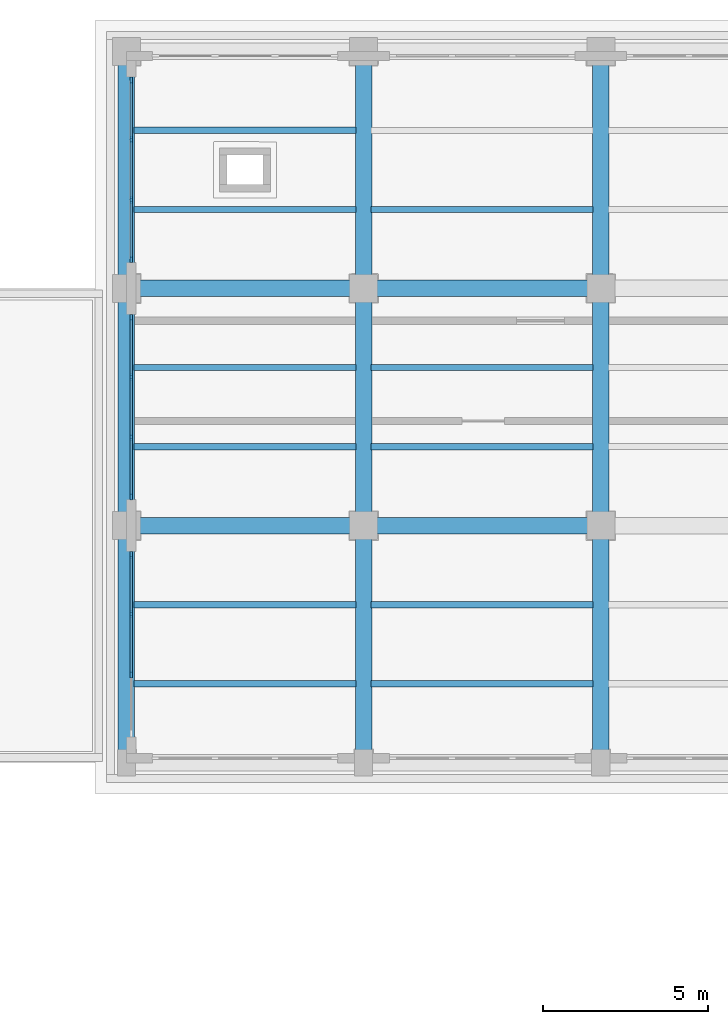
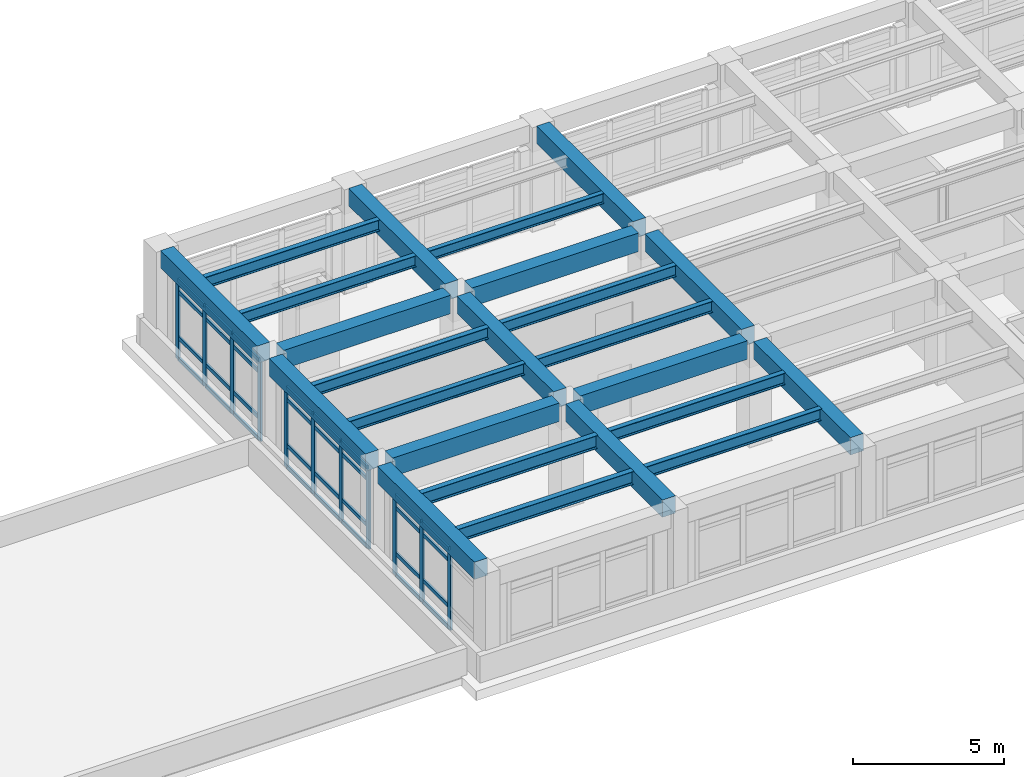
# One storey, part 24 of 69: 43 members, 24 beams, 3 elements without a shape of their own.
"""IFC4 building model written with IfcOpenShell, lengths in metres."""

import ifcopenshell
import ifcopenshell.guid

model = None  # the IFC model being written
_history = None  # IfcOwnerHistory: only IFC2X3 demands one
_inside = {}  # id of a spatial element -> (the spatial element, [elements in it])
_under = {}  # id of a project, library or spatial element -> (it, [spatial elements below it])
_declared = {}  # id of a project -> (the project, [libraries it declares])
_typed = {}  # id of a type object -> (the type object, [elements of that type])
_made_of = {}  # id of a material, layer set ... -> (it, [elements and type objects made of it])


def new_model(schema):
    """Start an empty IFC model of exactly this schema.

    Asked for "IFC4X3", IfcOpenShell would pick the latest addendum, in which some entities
    have other attributes; the version numbers below select the first issue.
    IFC2X3 requires an IfcOwnerHistory on every rooted entity: one is made here for all.
    """
    global model, _history
    if schema == "IFC4X3":
        model = ifcopenshell.file(schema_version=(4, 3, 0, 0))
    else:
        model = ifcopenshell.file(schema=schema)
    _inside.clear()
    _under.clear()
    _declared.clear()
    _typed.clear()
    _made_of.clear()
    _history = None
    if model.schema == "IFC2X3":
        org = make("IfcOrganization", Name="unknown")
        user = make(
            "IfcPersonAndOrganization",
            ThePerson=make("IfcPerson", FamilyName="unknown"),
            TheOrganization=org,
        )
        app = make(
            "IfcApplication",
            ApplicationDeveloper=org,
            Version="unknown",
            ApplicationFullName="unknown",
            ApplicationIdentifier="unknown",
        )
        _history = make(
            "IfcOwnerHistory",
            OwningUser=user,
            OwningApplication=app,
            ChangeAction="ADDED",
            CreationDate=0,
        )
    return model


def make(cls, **values):
    """One entity of the class cls with the attributes given. An attribute that is None is left unset."""
    return model.create_entity(
        cls, **{name: value for name, value in values.items() if value is not None}
    )


def rooted(cls, **values):
    """An entity with a GlobalId (a new one), such as an element, a storey or a relation."""
    return make(cls, GlobalId=ifcopenshell.guid.new(), OwnerHistory=_history, **values)


def si_unit(unit_type, name, prefix=None):
    """IfcSIUnit, for example si_unit("LENGTHUNIT", "METRE", prefix="MILLI")."""
    return make("IfcSIUnit", UnitType=unit_type, Prefix=prefix, Name=name)


def assignment(units):
    """IfcUnitAssignment: the units of a project."""
    return None if units is None else make("IfcUnitAssignment", Units=units)


def point(xyz):
    """IfcCartesianPoint."""
    return None if xyz is None else make("IfcCartesianPoint", Coordinates=xyz)


def direction(xyz):
    """IfcDirection."""
    return None if xyz is None else make("IfcDirection", DirectionRatios=xyz)


def frame(location, z_axis=None, x_axis=None):
    """IfcAxis2Placement3D, a coordinate frame: its origin and axes. An axis left out is left unset."""
    return make(
        "IfcAxis2Placement3D",
        Location=point(location),
        Axis=direction(z_axis),
        RefDirection=direction(x_axis),
    )


def frame_2d(location, x_axis=None):
    """IfcAxis2Placement2D, a coordinate frame in the plane: its origin and x axis."""
    return make(
        "IfcAxis2Placement2D", Location=point(location), RefDirection=direction(x_axis)
    )


def origin():
    """The frame at (0, 0, 0) with its axes left unset."""
    return frame((0.0, 0.0, 0.0))


def origin_2d():
    """The frame at (0, 0) in the plane with its x axis left unset."""
    return frame_2d((0.0, 0.0))


def place(relative_to, where):
    """IfcLocalPlacement: puts the frame where relative to a parent placement (None: the world)."""
    return make(
        "IfcLocalPlacement", PlacementRelTo=relative_to, RelativePlacement=where
    )


def context(
    kind, dimensions, precision=None, world=None, true_north=None, identifier=None
):
    """IfcGeometricRepresentationContext, for example the 3D "Model" context."""
    return make(
        "IfcGeometricRepresentationContext",
        ContextIdentifier=identifier,
        ContextType=kind,
        CoordinateSpaceDimension=dimensions,
        Precision=precision,
        WorldCoordinateSystem=world,
        TrueNorth=true_north,
    )


def subcontext(parent, identifier, kind, view, scale=None):
    """IfcGeometricRepresentationSubContext, for example "Body" below "Model"."""
    return make(
        "IfcGeometricRepresentationSubContext",
        ContextIdentifier=identifier,
        ContextType=kind,
        ParentContext=parent,
        TargetScale=scale,
        TargetView=view,
    )


def project(units=None, contexts=None):
    """IfcProject with its units and contexts."""
    return rooted(
        "IfcProject",
        Name="project",
        RepresentationContexts=contexts,
        UnitsInContext=assignment(units),
    )


def spatial(cls, under=None, at=None, **own):
    """A site, building, storey or space (cls), placed at a placement, below another one or the project."""
    s = rooted(cls, ObjectPlacement=at, **own)
    if under is not None:
        _under.setdefault(under.id(), (under, []))[1].append(s)
    return s


def profile(cls, at=None, kind="AREA", **sizes):
    """A parametric profile (cls). Its sizes go by their IFC names, for example OverallWidth=200.0."""
    return make(cls, ProfileType=kind, Position=at, **sizes)


def rectangle(**sizes):
    """IfcRectangleProfileDef."""
    return profile("IfcRectangleProfileDef", **sizes)


def i_section(**sizes):
    """IfcIShapeProfileDef."""
    return profile("IfcIShapeProfileDef", **sizes)


def extrude(swept, where, along, depth):
    """IfcExtrudedAreaSolid: the profile swept, set in the frame where, extruded along a direction by depth."""
    return make(
        "IfcExtrudedAreaSolid",
        SweptArea=swept,
        Position=where,
        ExtrudedDirection=direction(along),
        Depth=depth,
    )


def shape(context_of_items, identifier, shape_type, items):
    """IfcShapeRepresentation: the items that make up one representation, for example the "Body"."""
    return make(
        "IfcShapeRepresentation",
        ContextOfItems=context_of_items,
        RepresentationIdentifier=identifier,
        RepresentationType=shape_type,
        Items=items,
    )


def material(Name=None, Category=None):
    """IfcMaterial."""
    return make("IfcMaterial", Name=Name, Category=Category)


def layer(
    of_material, thickness, ventilated=None, Name=None, Category=None, Priority=None
):
    """IfcMaterialLayer: one layer of a wall or slab, of a material (None: an air gap)."""
    return make(
        "IfcMaterialLayer",
        Material=of_material,
        LayerThickness=thickness,
        IsVentilated=ventilated,
        Name=Name,
        Category=Category,
        Priority=Priority,
    )


def layer_set(layers, Name=None):
    """IfcMaterialLayerSet."""
    return make("IfcMaterialLayerSet", MaterialLayers=layers, LayerSetName=Name)


def material_profile(
    of_material, cross_section, Name=None, Category=None, Priority=None
):
    """IfcMaterialProfile: a cross section and its material."""
    return make(
        "IfcMaterialProfile",
        Name=Name,
        Material=of_material,
        Profile=cross_section,
        Priority=Priority,
        Category=Category,
    )


def profile_set(profiles, Name=None, composite=None):
    """IfcMaterialProfileSet."""
    return make(
        "IfcMaterialProfileSet",
        Name=Name,
        MaterialProfiles=profiles,
        CompositeProfile=composite,
    )


def made_of(thing, what):
    """Note that an element or type object is made of a material, layer set ...; save() writes the relation."""
    if what is not None:
        _made_of.setdefault(what.id(), (what, []))[1].append(thing)
    return thing


def type_object(cls, material=None, **own):
    """A type object (cls), such as IfcWallType, which elements share."""
    return made_of(rooted(cls, **own), material)


def element(
    cls,
    number,
    at=None,
    inside=None,
    cuts=None,
    type_object=None,
    material=None,
    context=None,
    identifier="Body",
    shape_type=None,
    held_by="IfcProductDefinitionShape",
    body=None,
    shapes=None,
    **own,
):
    """One element of the class cls, such as IfcWall. Its Tag is "e" and its number.

    at: its placement. inside: the storey or other place that contains it. cuts: it is an
    opening in that element (IfcRelVoidsElement). A single representation is given by context,
    identifier, shape_type and body (its items); several are given by shapes. held_by: the class
    of the entity that holds the representations. save() writes the other relations.
    """
    e = rooted(cls, Tag="e%d" % number, ObjectPlacement=at, **own)
    if body is not None:
        shapes = [shape(context, identifier, shape_type, body)]
    if shapes is not None:
        e.Representation = make(held_by, Representations=shapes)
    if inside is not None:
        _inside.setdefault(inside.id(), (inside, []))[1].append(e)
    if cuts is not None:
        rooted(
            "IfcRelVoidsElement", RelatingBuildingElement=cuts, RelatedOpeningElement=e
        )
    if type_object is not None:
        _typed.setdefault(type_object.id(), (type_object, []))[1].append(e)
    return made_of(e, material)


def aggregate(whole, parts):
    """IfcRelAggregates: a whole, such as a stair, and the parts it consists of."""
    return rooted("IfcRelAggregates", RelatingObject=whole, RelatedObjects=parts)


def save(model, path):
    """Write the relations noted so far, then the file.

    IfcRelAggregates (storeys below a building ...), IfcRelContainedInSpatialStructure (elements
    in a storey), IfcRelDefinesByType, IfcRelAssociatesMaterial and IfcRelDeclares: one each for
    every whole, place, type object, material and project.
    """
    for whole, parts in _under.values():
        aggregate(whole, parts)
    for where, things in _inside.values():
        rooted(
            "IfcRelContainedInSpatialStructure",
            RelatedElements=things,
            RelatingStructure=where,
        )
    for kind, things in _typed.values():
        rooted("IfcRelDefinesByType", RelatedObjects=things, RelatingType=kind)
    for what, things in _made_of.values():
        rooted("IfcRelAssociatesMaterial", RelatedObjects=things, RelatingMaterial=what)
    for by, libraries in _declared.values():
        rooted("IfcRelDeclares", RelatingContext=by, RelatedDefinitions=libraries)
    model.write(path)


model = new_model("IFC4")

# Units and contexts
model_context = context("Model", 3, precision=1e-05, world=origin(), true_north=direction((0.0, 1.0)))
body_context = subcontext(model_context, "Body", "Model", "MODEL_VIEW")
ifc_project = project(units=[si_unit("LENGTHUNIT", "METRE"), si_unit("AREAUNIT", "SQUARE_METRE"), si_unit("VOLUMEUNIT", "CUBIC_METRE"), si_unit("PLANEANGLEUNIT", "RADIAN"), si_unit("MASSUNIT", "GRAM", prefix="KILO")], contexts=[model_context])

# Site, building, storey
site_placement = place(None, origin())
site = spatial("IfcSite", under=ifc_project, at=site_placement, CompositionType="ELEMENT")
building_placement = place(site_placement, origin())
building = spatial("IfcBuilding", under=site, at=building_placement, Name="Solenvale Faculty of Natural Sciences", CompositionType="ELEMENT")
storey_placement = place(building_placement, frame((0.0, 0.0, 4.5)))
storey = spatial("IfcBuildingStorey", under=building, at=storey_placement, Name="L01", CompositionType="ELEMENT", Elevation=4.5)

# Beams
ifc_material_1 = material(Name="Concrete 40 MPa", Category="concrete")
ifc_material_profile_1 = material_profile(ifc_material_1, rectangle(XDim=0.5, YDim=0.699951171875, at=origin_2d()), Name="RC-BM-500x700")
ifc_profile_set_1 = profile_set([ifc_material_profile_1], Name="Concrete 40 MPa")
beam_type_1 = type_object("IfcBeamType", Name="BM-RC-500x700", PredefinedType="BEAM", material=ifc_profile_set_1)
beam_1_placement = place(storey_placement, frame((79.199951171875, 93.97998046875, 3.8701171875), z_axis=(0.0, 1.0, 0.0), x_axis=(-1.0, 0.0, 0.0)))
element("IfcBeam", 1, at=beam_1_placement, inside=storey, type_object=beam_type_1, Name="L01 Y-Girder X79.2 (93.6..100.8)", PredefinedType="BEAM", context=body_context, shape_type="SweptSolid", body=[
    extrude(rectangle(XDim=0.5, YDim=0.699951171875, at=origin_2d()), origin(), (0.0, 0.0, 1.0), 6.4150390625),
])
for number, where, z_axis, x_axis, name in (
    (2, (79.199951171875, 101.205078125, 3.8701171875), (0.0, 1.0, 0.0), (-1.0, 0.0, 0.0), "L01 Y-Girder X79.2 (100.8..108.0)"),
    (3, (79.199951171875, 108.405029296875, 3.8701171875), (0.0, 1.0, 0.0), (-1.0, 0.0, 0.0), "L01 Y-Girder X79.2 (108.0..115.2)"),
):
    element("IfcBeam", number, at=place(storey_placement, frame(where, z_axis=z_axis, x_axis=x_axis)), inside=storey, type_object=beam_type_1, Name=name, PredefinedType="BEAM", context=body_context, shape_type="SweptSolid", body=[
        extrude(rectangle(XDim=0.5, YDim=0.699951171875, at=origin_2d()), origin(), (0.0, 0.0, 1.0), 6.389892578125),
    ])
beam_2_placement = place(storey_placement, frame((86.39990234375, 93.97998046875, 3.8701171875), z_axis=(0.0, 1.0, 0.0), x_axis=(-1.0, 0.0, 0.0)))
element("IfcBeam", 4, at=beam_2_placement, inside=storey, type_object=beam_type_1, Name="L01 Y-Girder X86.4 (93.6..100.8)", PredefinedType="BEAM", context=body_context, shape_type="SweptSolid", body=[
    extrude(rectangle(XDim=0.5, YDim=0.699951171875, at=origin_2d()), origin(), (0.0, 0.0, 1.0), 6.4150390625),
])
for number, where, z_axis, x_axis, name in (
    (5, (86.39990234375, 101.205078125, 3.8701171875), (0.0, 1.0, 0.0), (-1.0, 0.0, 0.0), "L01 Y-Girder X86.4 (100.8..108.0)"),
    (6, (86.39990234375, 108.405029296875, 3.8701171875), (0.0, 1.0, 0.0), (-1.0, 0.0, 0.0), "L01 Y-Girder X86.4 (108.0..115.2)"),
):
    element("IfcBeam", number, at=place(storey_placement, frame(where, z_axis=z_axis, x_axis=x_axis)), inside=storey, type_object=beam_type_1, Name=name, PredefinedType="BEAM", context=body_context, shape_type="SweptSolid", body=[
        extrude(rectangle(XDim=0.5, YDim=0.699951171875, at=origin_2d()), origin(), (0.0, 0.0, 1.0), 6.389892578125),
    ])
beam_3_placement = place(storey_placement, frame((93.60009765625, 93.97998046875, 3.8701171875), z_axis=(0.0, 1.0, 0.0), x_axis=(-1.0, 0.0, 0.0)))
element("IfcBeam", 7, at=beam_3_placement, inside=storey, type_object=beam_type_1, Name="L01 Y-Girder X93.6 (93.6..100.8)", PredefinedType="BEAM", context=body_context, shape_type="SweptSolid", body=[
    extrude(rectangle(XDim=0.5, YDim=0.699951171875, at=origin_2d()), origin(), (0.0, 0.0, 1.0), 6.4150390625),
])
for number, where, z_axis, x_axis, name in (
    (8, (93.60009765625, 101.205078125, 3.8701171875), (0.0, 1.0, 0.0), (-1.0, 0.0, 0.0), "L01 Y-Girder X93.6 (100.8..108.0)"),
    (9, (93.60009765625, 108.405029296875, 3.8701171875), (0.0, 1.0, 0.0), (-1.0, 0.0, 0.0), "L01 Y-Girder X93.6 (108.0..115.2)"),
):
    element("IfcBeam", number, at=place(storey_placement, frame(where, z_axis=z_axis, x_axis=x_axis)), inside=storey, type_object=beam_type_1, Name=name, PredefinedType="BEAM", context=body_context, shape_type="SweptSolid", body=[
        extrude(rectangle(XDim=0.5, YDim=0.699951171875, at=origin_2d()), origin(), (0.0, 0.0, 1.0), 6.389892578125),
    ])
ifc_material_profile_2 = material_profile(ifc_material_1, rectangle(XDim=0.5, YDim=0.75, at=origin_2d()), Name="RC-BM-500x750")
ifc_profile_set_2 = profile_set([ifc_material_profile_2], Name="Concrete 40 MPa")
beam_type_2 = type_object("IfcBeamType", Name="BM-RC-500x750", PredefinedType="BEAM", material=ifc_profile_set_2)
for number, where, z_axis, x_axis, name in (
    (10, (79.60498046875, 100.800048828125, 3.844970703125), (1.0, 0.0, 0.0), (0.0, 1.0, 0.0), "L01 X-Girder Y100.8 (79.2..86.4)"),
    (11, (86.804931640625, 100.800048828125, 3.844970703125), (1.0, 0.0, 0.0), (0.0, 1.0, 0.0), "L01 X-Girder Y100.8 (86.4..93.6)"),
    (12, (79.60498046875, 108.0, 3.844970703125), (1.0, 0.0, 0.0), (0.0, 1.0, 0.0), "L01 X-Girder Y108.0 (79.2..86.4)"),
    (13, (86.804931640625, 108.0, 3.844970703125), (1.0, 0.0, 0.0), (0.0, 1.0, 0.0), "L01 X-Girder Y108.0 (86.4..93.6)"),
):
    element("IfcBeam", number, at=place(storey_placement, frame(where, z_axis=z_axis, x_axis=x_axis)), inside=storey, type_object=beam_type_2, Name=name, PredefinedType="BEAM", context=body_context, shape_type="SweptSolid", body=[
        extrude(rectangle(XDim=0.5, YDim=0.75, at=origin_2d()), origin(), (0.0, 0.0, 1.0), 6.39013671875),
    ])
ifc_material_2 = material(Name="Steel S355", Category="steel")
ifc_material_profile_3 = material_profile(ifc_material_2, i_section(OverallWidth=0.180908203125, OverallDepth=0.4169921875, WebThickness=0.010986328125, FlangeThickness=0.018310546875, FilletRadius=0.01611328125, at=origin_2d()), Name="W410x85")
ifc_profile_set_3 = profile_set([ifc_material_profile_3], Name="Steel S355")
beam_type_3 = type_object("IfcBeamType", Name="BM-STL-W410x85", PredefinedType="JOIST", material=ifc_profile_set_3)
beam_4_placement = place(storey_placement, frame((86.6298828125, 110.39990234375, 4.011474609375), z_axis=(1.0, 0.0, 0.0), x_axis=(0.0, 1.0, 0.0)))
element("IfcBeam", 14, at=beam_4_placement, inside=storey, type_object=beam_type_3, Name="L01 Composite Floor Joist (13,16).1", PredefinedType="JOIST", context=body_context, shape_type="SweptSolid", body=[
    extrude(i_section(OverallWidth=0.180908203125, OverallDepth=0.4169921875, WebThickness=0.010986328125, FlangeThickness=0.018310546875, FilletRadius=0.01611328125, at=origin_2d()), origin(), (0.0, 0.0, 1.0), 6.740234375),
])
ifc_material_profile_4 = material_profile(ifc_material_2, i_section(OverallWidth=0.194091796875, OverallDepth=0.468994140625, WebThickness=0.0126953125, FlangeThickness=0.0205078125, FilletRadius=0.01806640625, at=origin_2d()), Name="W460x106")
ifc_profile_set_4 = profile_set([ifc_material_profile_4], Name="Steel S355")
beam_type_4 = type_object("IfcBeamType", Name="BM-STL-W460x106", PredefinedType="JOIST", material=ifc_profile_set_4)
for number, where, z_axis, x_axis, name in (
    (15, (79.429931640625, 103.199951171875, 3.985595703125), (1.0, 0.0, 0.0), (0.0, 1.0, 0.0), "L01 Composite Floor Joist (12,15).1"),
    (16, (79.429931640625, 105.60009765625, 3.985595703125), (1.0, 0.0, 0.0), (0.0, 1.0, 0.0), "L01 Composite Floor Joist (12,15).2"),
):
    element("IfcBeam", number, at=place(storey_placement, frame(where, z_axis=z_axis, x_axis=x_axis)), inside=storey, type_object=beam_type_4, Name=name, PredefinedType="JOIST", context=body_context, shape_type="SweptSolid", body=[
        extrude(i_section(OverallWidth=0.194091796875, OverallDepth=0.468994140625, WebThickness=0.0126953125, FlangeThickness=0.0205078125, FilletRadius=0.01806640625, at=origin_2d()), origin(), (0.0, 0.0, 1.0), 6.739990234375),
    ])
for number, where, z_axis, x_axis, name in (
    (17, (86.6298828125, 96.0, 3.985595703125), (1.0, 0.0, 0.0), (0.0, 1.0, 0.0), "L01 Composite Floor Joist (13,14).1"),
    (18, (86.6298828125, 98.39990234375, 3.985595703125), (1.0, 0.0, 0.0), (0.0, 1.0, 0.0), "L01 Composite Floor Joist (13,14).2"),
):
    element("IfcBeam", number, at=place(storey_placement, frame(where, z_axis=z_axis, x_axis=x_axis)), inside=storey, type_object=beam_type_4, Name=name, PredefinedType="JOIST", context=body_context, shape_type="SweptSolid", body=[
        extrude(i_section(OverallWidth=0.194091796875, OverallDepth=0.468994140625, WebThickness=0.0126953125, FlangeThickness=0.0205078125, FilletRadius=0.01806640625, at=origin_2d()), origin(), (0.0, 0.0, 1.0), 6.740234375),
    ])
ifc_material_profile_5 = material_profile(ifc_material_2, i_section(OverallWidth=0.19091796875, OverallDepth=0.4599609375, WebThickness=0.010009765625, FlangeThickness=0.01611328125, FilletRadius=0.01806640625, at=origin_2d()), Name="W460x82")
ifc_profile_set_5 = profile_set([ifc_material_profile_5], Name="Steel S355")
beam_type_5 = type_object("IfcBeamType", Name="BM-STL-W460x82", PredefinedType="JOIST", material=ifc_profile_set_5)
for number, where, z_axis, x_axis, name in (
    (19, (79.429931640625, 110.39990234375, 3.989990234375), (1.0, 0.0, 0.0), (0.0, 1.0, 0.0), "L01 Composite Floor Joist (12,16).1"),
    (20, (79.429931640625, 112.800048828125, 3.989990234375), (1.0, 0.0, 0.0), (0.0, 1.0, 0.0), "L01 Composite Floor Joist (12,16).2"),
):
    element("IfcBeam", number, at=place(storey_placement, frame(where, z_axis=z_axis, x_axis=x_axis)), inside=storey, type_object=beam_type_5, Name=name, PredefinedType="JOIST", context=body_context, shape_type="SweptSolid", body=[
        extrude(i_section(OverallWidth=0.19091796875, OverallDepth=0.4599609375, WebThickness=0.010009765625, FlangeThickness=0.01611328125, FilletRadius=0.01806640625, at=origin_2d()), origin(), (0.0, 0.0, 1.0), 6.739990234375),
    ])
for number, where, z_axis, x_axis, name in (
    (21, (86.6298828125, 103.199951171875, 3.989990234375), (1.0, 0.0, 0.0), (0.0, 1.0, 0.0), "L01 Composite Floor Joist (13,15).1"),
    (22, (86.6298828125, 105.60009765625, 3.989990234375), (1.0, 0.0, 0.0), (0.0, 1.0, 0.0), "L01 Composite Floor Joist (13,15).2"),
):
    element("IfcBeam", number, at=place(storey_placement, frame(where, z_axis=z_axis, x_axis=x_axis)), inside=storey, type_object=beam_type_5, Name=name, PredefinedType="JOIST", context=body_context, shape_type="SweptSolid", body=[
        extrude(i_section(OverallWidth=0.19091796875, OverallDepth=0.4599609375, WebThickness=0.010009765625, FlangeThickness=0.01611328125, FilletRadius=0.01806640625, at=origin_2d()), origin(), (0.0, 0.0, 1.0), 6.740234375),
    ])
ifc_material_profile_6 = material_profile(ifc_material_2, i_section(OverallWidth=0.208984375, OverallDepth=0.532958984375, WebThickness=0.01025390625, FlangeThickness=0.015625, FilletRadius=0.01904296875, at=origin_2d()), Name="W530x92")
ifc_profile_set_6 = profile_set([ifc_material_profile_6], Name="Steel S355")
beam_type_6 = type_object("IfcBeamType", Name="BM-STL-W530x92", PredefinedType="JOIST", material=ifc_profile_set_6)
for number, where, z_axis, x_axis, name in (
    (23, (79.429931640625, 96.0, 3.95361328125), (1.0, 0.0, 0.0), (0.0, 1.0, 0.0), "L01 Composite Floor Joist (12,14).1"),
    (24, (79.429931640625, 98.39990234375, 3.95361328125), (1.0, 0.0, 0.0), (0.0, 1.0, 0.0), "L01 Composite Floor Joist (12,14).2"),
):
    element("IfcBeam", number, at=place(storey_placement, frame(where, z_axis=z_axis, x_axis=x_axis)), inside=storey, type_object=beam_type_6, Name=name, PredefinedType="JOIST", context=body_context, shape_type="SweptSolid", body=[
        extrude(i_section(OverallWidth=0.208984375, OverallDepth=0.532958984375, WebThickness=0.01025390625, FlangeThickness=0.015625, FilletRadius=0.01904296875, at=origin_2d()), origin(), (0.0, 0.0, 1.0), 6.739990234375),
    ])

# Curtain wall, members
ifc_material_3 = material(Name="Anodised bronze aluminium", Category="aluminium")
ifc_layer = layer(ifc_material_3, 0.179931640625)
ifc_layer_set = layer_set([ifc_layer], Name="Anodised bronze aluminium")
curtain_wall_type = type_object("IfcCurtainWallType", Name="CW-TWR-MOD", PredefinedType="USERDEFINED", material=ifc_layer_set)
curtain_wall_1_placement = place(storey_placement, origin())
curtain_wall_1 = element("IfcCurtainWall", 25, at=curtain_wall_1_placement, inside=storey, type_object=curtain_wall_type, Name="L01 Curtain Wall CW-L01-P2-E5-B1", ObjectType="UNITISED CURTAIN WALL", PredefinedType="USERDEFINED")
ifc_material_profile_7 = material_profile(ifc_material_3, rectangle(XDim=0.074951171875, YDim=0.2099609375, at=origin_2d()), Name="ALU-MUL-75x210")
ifc_profile_set_7 = profile_set([ifc_material_profile_7], Name="Anodised bronze aluminium")
member_type_1 = type_object("IfcMemberType", Name="CWM-ALU-75x210", PredefinedType="MULLION", material=ifc_profile_set_7)
member_1_placement = place(storey_placement, frame((79.342529296875, 114.3125, 0.0), z_axis=(0.0, 0.0, 1.0), x_axis=(1.0, 0.0, 0.0)))
member_1 = element("IfcMember", 26, at=member_1_placement, type_object=member_type_1, Name="CW-04 mullion 1", PredefinedType="MULLION", context=body_context, shape_type="SweptSolid", body=[
    extrude(rectangle(XDim=0.074951171875, YDim=0.2099609375, at=origin_2d()), origin(), (0.0, 0.0, 1.0), 3.260009765625),
])
member_2_placement = place(storey_placement, frame((79.342529296875, 112.5166015625, 0.0), z_axis=(0.0, 0.0, 1.0), x_axis=(1.0, 0.0, 0.0)))
member_2 = element("IfcMember", 27, at=member_2_placement, type_object=member_type_1, Name="CW-04 mullion 2", PredefinedType="MULLION", context=body_context, shape_type="SweptSolid", body=[
    extrude(rectangle(XDim=0.074951171875, YDim=0.2099609375, at=origin_2d()), origin(), (0.0, 0.0, 1.0), 3.260009765625),
])
member_3_placement = place(storey_placement, frame((79.342529296875, 110.683349609375, 0.0), z_axis=(0.0, 0.0, 1.0), x_axis=(1.0, 0.0, 0.0)))
member_3 = element("IfcMember", 28, at=member_3_placement, type_object=member_type_1, Name="CW-04 mullion 3", PredefinedType="MULLION", context=body_context, shape_type="SweptSolid", body=[
    extrude(rectangle(XDim=0.074951171875, YDim=0.2099609375, at=origin_2d()), origin(), (0.0, 0.0, 1.0), 3.260009765625),
])
member_4_placement = place(storey_placement, frame((79.342529296875, 108.887451171875, 0.0), z_axis=(0.0, 0.0, 1.0), x_axis=(1.0, 0.0, 0.0)))
member_4 = element("IfcMember", 29, at=member_4_placement, type_object=member_type_1, Name="CW-04 mullion 4", PredefinedType="MULLION", context=body_context, shape_type="SweptSolid", body=[
    extrude(rectangle(XDim=0.074951171875, YDim=0.2099609375, at=origin_2d()), origin(), (0.0, 0.0, 1.0), 3.260009765625),
])

curtain_wall_2_placement = place(storey_placement, origin())
curtain_wall_2 = element("IfcCurtainWall", 30, at=curtain_wall_2_placement, inside=storey, type_object=curtain_wall_type, Name="L01 Curtain Wall CW-L01-P2-E5-B2", ObjectType="UNITISED CURTAIN WALL", PredefinedType="USERDEFINED")
member_5_placement = place(storey_placement, frame((79.342529296875, 107.112548828125, 0.0), z_axis=(0.0, 0.0, 1.0), x_axis=(1.0, 0.0, 0.0)))
member_5 = element("IfcMember", 31, at=member_5_placement, type_object=member_type_1, Name="CW-04 mullion 1", PredefinedType="MULLION", context=body_context, shape_type="SweptSolid", body=[
    extrude(rectangle(XDim=0.074951171875, YDim=0.2099609375, at=origin_2d()), origin(), (0.0, 0.0, 1.0), 3.260009765625),
])
member_6_placement = place(storey_placement, frame((79.342529296875, 105.316650390625, 0.0), z_axis=(0.0, 0.0, 1.0), x_axis=(1.0, 0.0, 0.0)))
member_6 = element("IfcMember", 32, at=member_6_placement, type_object=member_type_1, Name="CW-04 mullion 2", PredefinedType="MULLION", context=body_context, shape_type="SweptSolid", body=[
    extrude(rectangle(XDim=0.074951171875, YDim=0.2099609375, at=origin_2d()), origin(), (0.0, 0.0, 1.0), 3.260009765625),
])
member_7_placement = place(storey_placement, frame((79.342529296875, 103.4833984375, 0.0), z_axis=(0.0, 0.0, 1.0), x_axis=(1.0, 0.0, 0.0)))
member_7 = element("IfcMember", 33, at=member_7_placement, type_object=member_type_1, Name="CW-04 mullion 3", PredefinedType="MULLION", context=body_context, shape_type="SweptSolid", body=[
    extrude(rectangle(XDim=0.074951171875, YDim=0.2099609375, at=origin_2d()), origin(), (0.0, 0.0, 1.0), 3.260009765625),
])
member_8_placement = place(storey_placement, frame((79.342529296875, 101.6875, 0.0), z_axis=(0.0, 0.0, 1.0), x_axis=(1.0, 0.0, 0.0)))
member_8 = element("IfcMember", 34, at=member_8_placement, type_object=member_type_1, Name="CW-04 mullion 4", PredefinedType="MULLION", context=body_context, shape_type="SweptSolid", body=[
    extrude(rectangle(XDim=0.074951171875, YDim=0.2099609375, at=origin_2d()), origin(), (0.0, 0.0, 1.0), 3.260009765625),
])

curtain_wall_3_placement = place(storey_placement, origin())
curtain_wall_3 = element("IfcCurtainWall", 35, at=curtain_wall_3_placement, inside=storey, type_object=curtain_wall_type, Name="L01 Curtain Wall CW-L01-P2-E5-B3", ObjectType="UNITISED CURTAIN WALL", PredefinedType="USERDEFINED")
member_9_placement = place(storey_placement, frame((79.342529296875, 99.91259765625, 0.0), z_axis=(0.0, 0.0, 1.0), x_axis=(1.0, 0.0, 0.0)))
member_9 = element("IfcMember", 36, at=member_9_placement, type_object=member_type_1, Name="CW-04 mullion 1", PredefinedType="MULLION", context=body_context, shape_type="SweptSolid", body=[
    extrude(rectangle(XDim=0.074951171875, YDim=0.2099609375, at=origin_2d()), origin(), (0.0, 0.0, 1.0), 3.260009765625),
])
member_10_placement = place(storey_placement, frame((79.342529296875, 98.11669921875, 0.0), z_axis=(0.0, 0.0, 1.0), x_axis=(1.0, 0.0, 0.0)))
member_10 = element("IfcMember", 37, at=member_10_placement, type_object=member_type_1, Name="CW-04 mullion 2", PredefinedType="MULLION", context=body_context, shape_type="SweptSolid", body=[
    extrude(rectangle(XDim=0.074951171875, YDim=0.2099609375, at=origin_2d()), origin(), (0.0, 0.0, 1.0), 3.260009765625),
])
member_11_placement = place(storey_placement, frame((79.342529296875, 96.283447265625, 0.0), z_axis=(0.0, 0.0, 1.0), x_axis=(1.0, 0.0, 0.0)))
member_11 = element("IfcMember", 38, at=member_11_placement, type_object=member_type_1, Name="CW-04 mullion 3", PredefinedType="MULLION", context=body_context, shape_type="SweptSolid", body=[
    extrude(rectangle(XDim=0.074951171875, YDim=0.2099609375, at=origin_2d()), origin(), (0.0, 0.0, 1.0), 3.260009765625),
])

# Member
ifc_material_profile_8 = material_profile(ifc_material_3, rectangle(XDim=0.074951171875, YDim=0.155029296875, at=origin_2d()), Name="ALU-TRN-75x155")
ifc_profile_set_8 = profile_set([ifc_material_profile_8], Name="Anodised bronze aluminium")
member_type_2 = type_object("IfcMemberType", Name="CWT-ALU-75x155", PredefinedType="USERDEFINED", material=ifc_profile_set_8)
member_12_placement = place(storey_placement, frame((79.342529296875, 114.27490234375, 0.03759765625), z_axis=(0.0, -1.0, 0.0), x_axis=(1.0, 0.0, 0.0)))
member_12 = element("IfcMember", 39, at=member_12_placement, type_object=member_type_2, Name="CW-04 transom 1.1", ObjectType="TRANSOM", PredefinedType="USERDEFINED", context=body_context, shape_type="SweptSolid", body=[
    extrude(rectangle(XDim=0.074951171875, YDim=0.155029296875, at=origin_2d()), origin(), (0.0, 0.0, 1.0), 1.720703125),
])

member_13_placement = place(storey_placement, frame((79.342529296875, 114.27490234375, 0.89990234375), z_axis=(0.0, -1.0, 0.0), x_axis=(1.0, 0.0, 0.0)))
member_13 = element("IfcMember", 40, at=member_13_placement, type_object=member_type_2, Name="CW-04 transom 1.2", ObjectType="TRANSOM", PredefinedType="USERDEFINED", context=body_context, shape_type="SweptSolid", body=[
    extrude(rectangle(XDim=0.074951171875, YDim=0.155029296875, at=origin_2d()), origin(), (0.0, 0.0, 1.0), 1.720703125),
])

member_14_placement = place(storey_placement, frame((79.342529296875, 114.27490234375, 2.760009765625), z_axis=(0.0, -1.0, 0.0), x_axis=(1.0, 0.0, 0.0)))
member_14 = element("IfcMember", 41, at=member_14_placement, type_object=member_type_2, Name="CW-04 transom 1.3", ObjectType="TRANSOM", PredefinedType="USERDEFINED", context=body_context, shape_type="SweptSolid", body=[
    extrude(rectangle(XDim=0.074951171875, YDim=0.155029296875, at=origin_2d()), origin(), (0.0, 0.0, 1.0), 1.720703125),
])

member_15_placement = place(storey_placement, frame((79.342529296875, 114.27490234375, 3.222412109375), z_axis=(0.0, -1.0, 0.0), x_axis=(1.0, 0.0, 0.0)))
member_15 = element("IfcMember", 42, at=member_15_placement, type_object=member_type_2, Name="CW-04 transom 1.4", ObjectType="TRANSOM", PredefinedType="USERDEFINED", context=body_context, shape_type="SweptSolid", body=[
    extrude(rectangle(XDim=0.074951171875, YDim=0.155029296875, at=origin_2d()), origin(), (0.0, 0.0, 1.0), 1.720703125),
])

member_16_placement = place(storey_placement, frame((79.342529296875, 112.479248046875, 0.03759765625), z_axis=(0.0, -1.0, 0.0), x_axis=(1.0, 0.0, 0.0)))
member_16 = element("IfcMember", 43, at=member_16_placement, type_object=member_type_2, Name="CW-04 transom 2.1", ObjectType="TRANSOM", PredefinedType="USERDEFINED", context=body_context, shape_type="SweptSolid", body=[
    extrude(rectangle(XDim=0.074951171875, YDim=0.155029296875, at=origin_2d()), origin(), (0.0, 0.0, 1.0), 1.75830078125),
])

member_17_placement = place(storey_placement, frame((79.342529296875, 112.479248046875, 0.89990234375), z_axis=(0.0, -1.0, 0.0), x_axis=(1.0, 0.0, 0.0)))
member_17 = element("IfcMember", 44, at=member_17_placement, type_object=member_type_2, Name="CW-04 transom 2.2", ObjectType="TRANSOM", PredefinedType="USERDEFINED", context=body_context, shape_type="SweptSolid", body=[
    extrude(rectangle(XDim=0.074951171875, YDim=0.155029296875, at=origin_2d()), origin(), (0.0, 0.0, 1.0), 1.75830078125),
])

member_18_placement = place(storey_placement, frame((79.342529296875, 112.479248046875, 2.760009765625), z_axis=(0.0, -1.0, 0.0), x_axis=(1.0, 0.0, 0.0)))
member_18 = element("IfcMember", 45, at=member_18_placement, type_object=member_type_2, Name="CW-04 transom 2.3", ObjectType="TRANSOM", PredefinedType="USERDEFINED", context=body_context, shape_type="SweptSolid", body=[
    extrude(rectangle(XDim=0.074951171875, YDim=0.155029296875, at=origin_2d()), origin(), (0.0, 0.0, 1.0), 1.75830078125),
])

member_19_placement = place(storey_placement, frame((79.342529296875, 112.479248046875, 3.222412109375), z_axis=(0.0, -1.0, 0.0), x_axis=(1.0, 0.0, 0.0)))
member_19 = element("IfcMember", 46, at=member_19_placement, type_object=member_type_2, Name="CW-04 transom 2.4", ObjectType="TRANSOM", PredefinedType="USERDEFINED", context=body_context, shape_type="SweptSolid", body=[
    extrude(rectangle(XDim=0.074951171875, YDim=0.155029296875, at=origin_2d()), origin(), (0.0, 0.0, 1.0), 1.75830078125),
])

member_20_placement = place(storey_placement, frame((79.342529296875, 110.645751953125, 0.03759765625), z_axis=(0.0, -1.0, 0.0), x_axis=(1.0, 0.0, 0.0)))
member_20 = element("IfcMember", 47, at=member_20_placement, type_object=member_type_2, Name="CW-04 transom 3.1", ObjectType="TRANSOM", PredefinedType="USERDEFINED", context=body_context, shape_type="SweptSolid", body=[
    extrude(rectangle(XDim=0.074951171875, YDim=0.155029296875, at=origin_2d()), origin(), (0.0, 0.0, 1.0), 1.720703125),
])

member_21_placement = place(storey_placement, frame((79.342529296875, 110.645751953125, 0.89990234375), z_axis=(0.0, -1.0, 0.0), x_axis=(1.0, 0.0, 0.0)))
member_21 = element("IfcMember", 48, at=member_21_placement, type_object=member_type_2, Name="CW-04 transom 3.2", ObjectType="TRANSOM", PredefinedType="USERDEFINED", context=body_context, shape_type="SweptSolid", body=[
    extrude(rectangle(XDim=0.074951171875, YDim=0.155029296875, at=origin_2d()), origin(), (0.0, 0.0, 1.0), 1.720703125),
])

member_22_placement = place(storey_placement, frame((79.342529296875, 110.645751953125, 2.760009765625), z_axis=(0.0, -1.0, 0.0), x_axis=(1.0, 0.0, 0.0)))
member_22 = element("IfcMember", 49, at=member_22_placement, type_object=member_type_2, Name="CW-04 transom 3.3", ObjectType="TRANSOM", PredefinedType="USERDEFINED", context=body_context, shape_type="SweptSolid", body=[
    extrude(rectangle(XDim=0.074951171875, YDim=0.155029296875, at=origin_2d()), origin(), (0.0, 0.0, 1.0), 1.720703125),
])

member_23_placement = place(storey_placement, frame((79.342529296875, 110.645751953125, 3.222412109375), z_axis=(0.0, -1.0, 0.0), x_axis=(1.0, 0.0, 0.0)))
member_23 = element("IfcMember", 50, at=member_23_placement, type_object=member_type_2, Name="CW-04 transom 3.4", ObjectType="TRANSOM", PredefinedType="USERDEFINED", context=body_context, shape_type="SweptSolid", body=[
    extrude(rectangle(XDim=0.074951171875, YDim=0.155029296875, at=origin_2d()), origin(), (0.0, 0.0, 1.0), 1.720703125),
])

aggregate(curtain_wall_1, [member_1, member_2, member_3, member_4, member_12, member_13, member_14, member_15, member_16, member_17, member_18, member_19, member_20, member_21, member_22, member_23])

member_24_placement = place(storey_placement, frame((79.342529296875, 107.074951171875, 0.03759765625), z_axis=(0.0, -1.0, 0.0), x_axis=(1.0, 0.0, 0.0)))
member_24 = element("IfcMember", 51, at=member_24_placement, type_object=member_type_2, Name="CW-04 transom 1.1", ObjectType="TRANSOM", PredefinedType="USERDEFINED", context=body_context, shape_type="SweptSolid", body=[
    extrude(rectangle(XDim=0.074951171875, YDim=0.155029296875, at=origin_2d()), origin(), (0.0, 0.0, 1.0), 1.720703125),
])

member_25_placement = place(storey_placement, frame((79.342529296875, 107.074951171875, 0.89990234375), z_axis=(0.0, -1.0, 0.0), x_axis=(1.0, 0.0, 0.0)))
member_25 = element("IfcMember", 52, at=member_25_placement, type_object=member_type_2, Name="CW-04 transom 1.2", ObjectType="TRANSOM", PredefinedType="USERDEFINED", context=body_context, shape_type="SweptSolid", body=[
    extrude(rectangle(XDim=0.074951171875, YDim=0.155029296875, at=origin_2d()), origin(), (0.0, 0.0, 1.0), 1.720703125),
])

member_26_placement = place(storey_placement, frame((79.342529296875, 107.074951171875, 2.760009765625), z_axis=(0.0, -1.0, 0.0), x_axis=(1.0, 0.0, 0.0)))
member_26 = element("IfcMember", 53, at=member_26_placement, type_object=member_type_2, Name="CW-04 transom 1.3", ObjectType="TRANSOM", PredefinedType="USERDEFINED", context=body_context, shape_type="SweptSolid", body=[
    extrude(rectangle(XDim=0.074951171875, YDim=0.155029296875, at=origin_2d()), origin(), (0.0, 0.0, 1.0), 1.720703125),
])

member_27_placement = place(storey_placement, frame((79.342529296875, 107.074951171875, 3.222412109375), z_axis=(0.0, -1.0, 0.0), x_axis=(1.0, 0.0, 0.0)))
member_27 = element("IfcMember", 54, at=member_27_placement, type_object=member_type_2, Name="CW-04 transom 1.4", ObjectType="TRANSOM", PredefinedType="USERDEFINED", context=body_context, shape_type="SweptSolid", body=[
    extrude(rectangle(XDim=0.074951171875, YDim=0.155029296875, at=origin_2d()), origin(), (0.0, 0.0, 1.0), 1.720703125),
])

member_28_placement = place(storey_placement, frame((79.342529296875, 105.279052734375, 0.03759765625), z_axis=(0.0, -1.0, 0.0), x_axis=(1.0, 0.0, 0.0)))
member_28 = element("IfcMember", 55, at=member_28_placement, type_object=member_type_2, Name="CW-04 transom 2.1", ObjectType="TRANSOM", PredefinedType="USERDEFINED", context=body_context, shape_type="SweptSolid", body=[
    extrude(rectangle(XDim=0.074951171875, YDim=0.155029296875, at=origin_2d()), origin(), (0.0, 0.0, 1.0), 1.75830078125),
])

member_29_placement = place(storey_placement, frame((79.342529296875, 105.279052734375, 0.89990234375), z_axis=(0.0, -1.0, 0.0), x_axis=(1.0, 0.0, 0.0)))
member_29 = element("IfcMember", 56, at=member_29_placement, type_object=member_type_2, Name="CW-04 transom 2.2", ObjectType="TRANSOM", PredefinedType="USERDEFINED", context=body_context, shape_type="SweptSolid", body=[
    extrude(rectangle(XDim=0.074951171875, YDim=0.155029296875, at=origin_2d()), origin(), (0.0, 0.0, 1.0), 1.75830078125),
])

member_30_placement = place(storey_placement, frame((79.342529296875, 105.279052734375, 2.760009765625), z_axis=(0.0, -1.0, 0.0), x_axis=(1.0, 0.0, 0.0)))
member_30 = element("IfcMember", 57, at=member_30_placement, type_object=member_type_2, Name="CW-04 transom 2.3", ObjectType="TRANSOM", PredefinedType="USERDEFINED", context=body_context, shape_type="SweptSolid", body=[
    extrude(rectangle(XDim=0.074951171875, YDim=0.155029296875, at=origin_2d()), origin(), (0.0, 0.0, 1.0), 1.75830078125),
])

member_31_placement = place(storey_placement, frame((79.342529296875, 105.279052734375, 3.222412109375), z_axis=(0.0, -1.0, 0.0), x_axis=(1.0, 0.0, 0.0)))
member_31 = element("IfcMember", 58, at=member_31_placement, type_object=member_type_2, Name="CW-04 transom 2.4", ObjectType="TRANSOM", PredefinedType="USERDEFINED", context=body_context, shape_type="SweptSolid", body=[
    extrude(rectangle(XDim=0.074951171875, YDim=0.155029296875, at=origin_2d()), origin(), (0.0, 0.0, 1.0), 1.75830078125),
])

member_32_placement = place(storey_placement, frame((79.342529296875, 103.44580078125, 0.03759765625), z_axis=(0.0, -1.0, 0.0), x_axis=(1.0, 0.0, 0.0)))
member_32 = element("IfcMember", 59, at=member_32_placement, type_object=member_type_2, Name="CW-04 transom 3.1", ObjectType="TRANSOM", PredefinedType="USERDEFINED", context=body_context, shape_type="SweptSolid", body=[
    extrude(rectangle(XDim=0.074951171875, YDim=0.155029296875, at=origin_2d()), origin(), (0.0, 0.0, 1.0), 1.720703125),
])

member_33_placement = place(storey_placement, frame((79.342529296875, 103.44580078125, 0.89990234375), z_axis=(0.0, -1.0, 0.0), x_axis=(1.0, 0.0, 0.0)))
member_33 = element("IfcMember", 60, at=member_33_placement, type_object=member_type_2, Name="CW-04 transom 3.2", ObjectType="TRANSOM", PredefinedType="USERDEFINED", context=body_context, shape_type="SweptSolid", body=[
    extrude(rectangle(XDim=0.074951171875, YDim=0.155029296875, at=origin_2d()), origin(), (0.0, 0.0, 1.0), 1.720703125),
])

member_34_placement = place(storey_placement, frame((79.342529296875, 103.44580078125, 2.760009765625), z_axis=(0.0, -1.0, 0.0), x_axis=(1.0, 0.0, 0.0)))
member_34 = element("IfcMember", 61, at=member_34_placement, type_object=member_type_2, Name="CW-04 transom 3.3", ObjectType="TRANSOM", PredefinedType="USERDEFINED", context=body_context, shape_type="SweptSolid", body=[
    extrude(rectangle(XDim=0.074951171875, YDim=0.155029296875, at=origin_2d()), origin(), (0.0, 0.0, 1.0), 1.720703125),
])

member_35_placement = place(storey_placement, frame((79.342529296875, 103.44580078125, 3.222412109375), z_axis=(0.0, -1.0, 0.0), x_axis=(1.0, 0.0, 0.0)))
member_35 = element("IfcMember", 62, at=member_35_placement, type_object=member_type_2, Name="CW-04 transom 3.4", ObjectType="TRANSOM", PredefinedType="USERDEFINED", context=body_context, shape_type="SweptSolid", body=[
    extrude(rectangle(XDim=0.074951171875, YDim=0.155029296875, at=origin_2d()), origin(), (0.0, 0.0, 1.0), 1.720703125),
])

aggregate(curtain_wall_2, [member_5, member_6, member_7, member_8, member_24, member_25, member_26, member_27, member_28, member_29, member_30, member_31, member_32, member_33, member_34, member_35])

member_36_placement = place(storey_placement, frame((79.342529296875, 99.875, 0.03759765625), z_axis=(0.0, -1.0, 0.0), x_axis=(1.0, 0.0, 0.0)))
member_36 = element("IfcMember", 63, at=member_36_placement, type_object=member_type_2, Name="CW-04 transom 1.1", ObjectType="TRANSOM", PredefinedType="USERDEFINED", context=body_context, shape_type="SweptSolid", body=[
    extrude(rectangle(XDim=0.074951171875, YDim=0.155029296875, at=origin_2d()), origin(), (0.0, 0.0, 1.0), 1.720947265625),
])

member_37_placement = place(storey_placement, frame((79.342529296875, 99.875, 0.89990234375), z_axis=(0.0, -1.0, 0.0), x_axis=(1.0, 0.0, 0.0)))
member_37 = element("IfcMember", 64, at=member_37_placement, type_object=member_type_2, Name="CW-04 transom 1.2", ObjectType="TRANSOM", PredefinedType="USERDEFINED", context=body_context, shape_type="SweptSolid", body=[
    extrude(rectangle(XDim=0.074951171875, YDim=0.155029296875, at=origin_2d()), origin(), (0.0, 0.0, 1.0), 1.720947265625),
])

member_38_placement = place(storey_placement, frame((79.342529296875, 99.875, 2.760009765625), z_axis=(0.0, -1.0, 0.0), x_axis=(1.0, 0.0, 0.0)))
member_38 = element("IfcMember", 65, at=member_38_placement, type_object=member_type_2, Name="CW-04 transom 1.3", ObjectType="TRANSOM", PredefinedType="USERDEFINED", context=body_context, shape_type="SweptSolid", body=[
    extrude(rectangle(XDim=0.074951171875, YDim=0.155029296875, at=origin_2d()), origin(), (0.0, 0.0, 1.0), 1.720947265625),
])

member_39_placement = place(storey_placement, frame((79.342529296875, 99.875, 3.222412109375), z_axis=(0.0, -1.0, 0.0), x_axis=(1.0, 0.0, 0.0)))
member_39 = element("IfcMember", 66, at=member_39_placement, type_object=member_type_2, Name="CW-04 transom 1.4", ObjectType="TRANSOM", PredefinedType="USERDEFINED", context=body_context, shape_type="SweptSolid", body=[
    extrude(rectangle(XDim=0.074951171875, YDim=0.155029296875, at=origin_2d()), origin(), (0.0, 0.0, 1.0), 1.720947265625),
])

member_40_placement = place(storey_placement, frame((79.342529296875, 98.0791015625, 0.03759765625), z_axis=(0.0, -1.0, 0.0), x_axis=(1.0, 0.0, 0.0)))
member_40 = element("IfcMember", 67, at=member_40_placement, type_object=member_type_2, Name="CW-04 transom 2.1", ObjectType="TRANSOM", PredefinedType="USERDEFINED", context=body_context, shape_type="SweptSolid", body=[
    extrude(rectangle(XDim=0.074951171875, YDim=0.155029296875, at=origin_2d()), origin(), (0.0, 0.0, 1.0), 1.75830078125),
])

member_41_placement = place(storey_placement, frame((79.342529296875, 98.0791015625, 0.89990234375), z_axis=(0.0, -1.0, 0.0), x_axis=(1.0, 0.0, 0.0)))
member_41 = element("IfcMember", 68, at=member_41_placement, type_object=member_type_2, Name="CW-04 transom 2.2", ObjectType="TRANSOM", PredefinedType="USERDEFINED", context=body_context, shape_type="SweptSolid", body=[
    extrude(rectangle(XDim=0.074951171875, YDim=0.155029296875, at=origin_2d()), origin(), (0.0, 0.0, 1.0), 1.75830078125),
])

member_42_placement = place(storey_placement, frame((79.342529296875, 98.0791015625, 2.760009765625), z_axis=(0.0, -1.0, 0.0), x_axis=(1.0, 0.0, 0.0)))
member_42 = element("IfcMember", 69, at=member_42_placement, type_object=member_type_2, Name="CW-04 transom 2.3", ObjectType="TRANSOM", PredefinedType="USERDEFINED", context=body_context, shape_type="SweptSolid", body=[
    extrude(rectangle(XDim=0.074951171875, YDim=0.155029296875, at=origin_2d()), origin(), (0.0, 0.0, 1.0), 1.75830078125),
])

member_43_placement = place(storey_placement, frame((79.342529296875, 98.0791015625, 3.222412109375), z_axis=(0.0, -1.0, 0.0), x_axis=(1.0, 0.0, 0.0)))
member_43 = element("IfcMember", 70, at=member_43_placement, type_object=member_type_2, Name="CW-04 transom 2.4", ObjectType="TRANSOM", PredefinedType="USERDEFINED", context=body_context, shape_type="SweptSolid", body=[
    extrude(rectangle(XDim=0.074951171875, YDim=0.155029296875, at=origin_2d()), origin(), (0.0, 0.0, 1.0), 1.75830078125),
])

aggregate(curtain_wall_3, [member_9, member_10, member_11, member_36, member_37, member_38, member_39, member_40, member_41, member_42, member_43])

save(model, "model.ifc")
